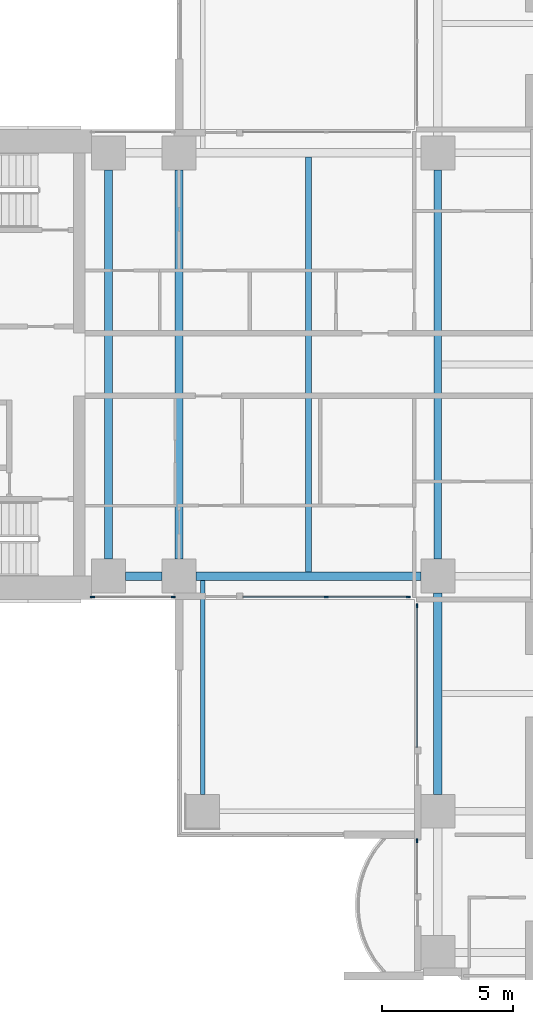
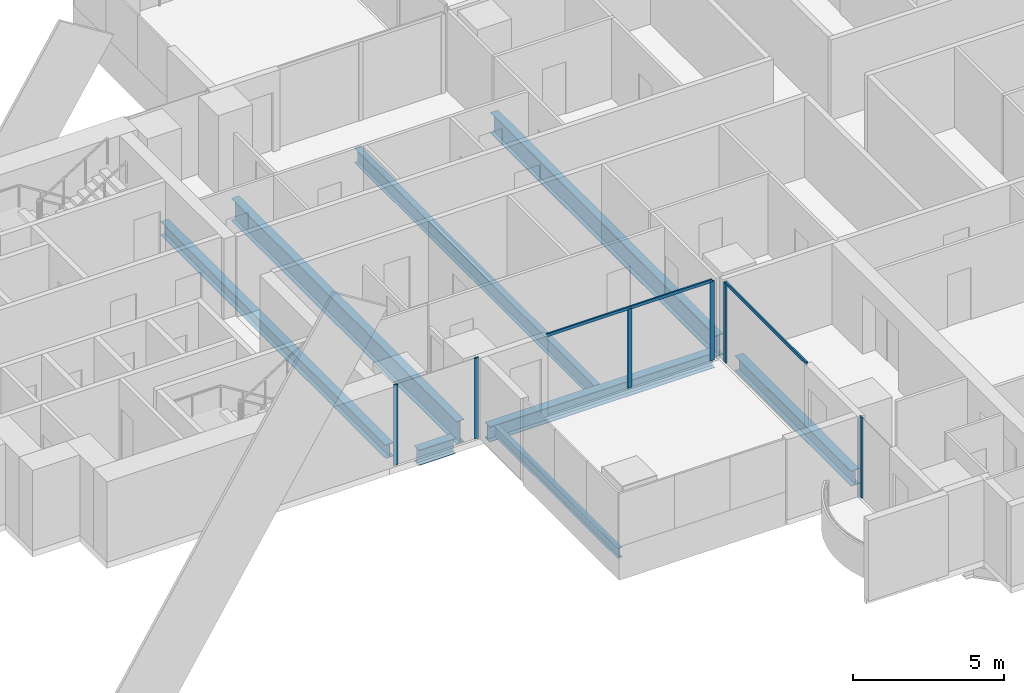
# One storey, part 2 of 23: 8 beams, 8 members, 4 elements without a shape of their own.
"""IFC4 building model written with IfcOpenShell, lengths in metres."""

from ifc_helpers import new_model, si_unit, direction, frame, origin, origin_2d, place, context, subcontext, project, spatial, rectangle, i_section, extrude, material, material_profile, profile_set, type_object, element, aggregate, save


model = new_model("IFC4")

# Units and contexts
model_context = context("Model", 3, precision=1e-05, world=origin(), true_north=direction((0.0, 1.0)))
body_context = subcontext(model_context, "Body", "Model", "MODEL_VIEW")
ifc_project = project(units=[si_unit("LENGTHUNIT", "METRE"), si_unit("AREAUNIT", "SQUARE_METRE"), si_unit("VOLUMEUNIT", "CUBIC_METRE"), si_unit("PLANEANGLEUNIT", "RADIAN"), si_unit("MASSUNIT", "GRAM", prefix="KILO")], contexts=[model_context])

# Site, building, storey
site_placement = place(None, origin())
site = spatial("IfcSite", under=ifc_project, at=site_placement, CompositionType="ELEMENT")
building_placement = place(site_placement, origin())
building = spatial("IfcBuilding", under=site, at=building_placement, Name="Perihelion Cross Residences", CompositionType="ELEMENT")
storey_placement = place(building_placement, frame((0.0, 0.0, 85.5)))
storey = spatial("IfcBuildingStorey", under=building, at=storey_placement, Name="L19", CompositionType="ELEMENT", Elevation=85.5)

# Curtain wall, members
ifc_material_1 = material(Name="Bronze anodised aluminium, tinted glazing", Category="aluminium")
curtain_wall_type = type_object("IfcCurtainWallType", Name="CW1", PredefinedType="NOTDEFINED", material=ifc_material_1)
curtain_wall_1_placement = place(storey_placement, origin())
curtain_wall_1 = element("IfcCurtainWall", 1, at=curtain_wall_1_placement, inside=storey, type_object=curtain_wall_type, Name="Curtain wall CW1 L19 west side south bay 1", PredefinedType="NOTDEFINED")
ifc_material_2 = material(Name="Bronze anodised aluminium", Category="aluminium")
ifc_material_profile_1 = material_profile(ifc_material_2, rectangle(XDim=0.06005859375, YDim=0.159912109375, at=origin_2d()), Name="CW1 mullion")
ifc_profile_set_1 = profile_set([ifc_material_profile_1], Name="Bronze anodised aluminium")
member_type_1 = type_object("IfcMemberType", Name="CW1 mullion", PredefinedType="MULLION", material=ifc_profile_set_1)
member_1_placement = place(storey_placement, frame((-21.320068359375, -8.89990234375, 0.0), z_axis=(0.0, 0.0, 1.0), x_axis=(0.0, 1.0, 0.0)))
member_1 = element("IfcMember", 2, at=member_1_placement, type_object=member_type_1, Name="CW1 mullion 1", PredefinedType="MULLION", context=body_context, shape_type="SweptSolid", body=[
    extrude(rectangle(XDim=0.06005859375, YDim=0.159912109375, at=origin_2d()), origin(), (0.0, 0.0, 1.0), 3.25),
])
member_2_placement = place(storey_placement, frame((-18.22998046875, -8.89990234375, 0.0), z_axis=(0.0, 0.0, 1.0), x_axis=(0.0, 1.0, 0.0)))
member_2 = element("IfcMember", 3, at=member_2_placement, type_object=member_type_1, Name="CW1 mullion 2", PredefinedType="MULLION", context=body_context, shape_type="SweptSolid", body=[
    extrude(rectangle(XDim=0.06005859375, YDim=0.159912109375, at=origin_2d()), origin(), (0.0, 0.0, 1.0), 3.25),
])
aggregate(curtain_wall_1, [member_1, member_2])

curtain_wall_2_placement = place(storey_placement, origin())
curtain_wall_2 = element("IfcCurtainWall", 4, at=curtain_wall_2_placement, inside=storey, type_object=curtain_wall_type, Name="Curtain wall CW1 L19 west side south bay 2", PredefinedType="NOTDEFINED")
member_3_placement = place(storey_placement, frame((-12.375, -8.89990234375, 0.0), z_axis=(0.0, 0.0, 1.0), x_axis=(0.0, 1.0, 0.0)))
member_3 = element("IfcMember", 5, at=member_3_placement, type_object=member_type_1, Name="CW1 mullion 2", PredefinedType="MULLION", context=body_context, shape_type="SweptSolid", body=[
    extrude(rectangle(XDim=0.06005859375, YDim=0.159912109375, at=origin_2d()), origin(), (0.0, 0.0, 1.0), 3.18994140625),
])
member_4_placement = place(storey_placement, frame((-9.22998046875, -8.89990234375, 0.0), z_axis=(0.0, 0.0, 1.0), x_axis=(0.0, 1.0, 0.0)))
member_4 = element("IfcMember", 6, at=member_4_placement, type_object=member_type_1, Name="CW1 mullion 3", PredefinedType="MULLION", context=body_context, shape_type="SweptSolid", body=[
    extrude(rectangle(XDim=0.06005859375, YDim=0.159912109375, at=origin_2d()), origin(), (0.0, 0.0, 1.0), 3.18994140625),
])

# Curtain wall, member
curtain_wall_3_placement = place(storey_placement, origin())
curtain_wall_3 = element("IfcCurtainWall", 7, at=curtain_wall_3_placement, inside=storey, type_object=curtain_wall_type, Name="Curtain wall CW1 L19 south side west bay 1", PredefinedType="NOTDEFINED")
member_5_placement = place(storey_placement, frame((-8.89990234375, -9.22998046875, 0.0), z_axis=(0.0, 0.0, 1.0), x_axis=(1.0, 0.0, 0.0)))
member_5 = element("IfcMember", 8, at=member_5_placement, type_object=member_type_1, Name="CW1 mullion 1", PredefinedType="MULLION", context=body_context, shape_type="SweptSolid", body=[
    extrude(rectangle(XDim=0.06005859375, YDim=0.159912109375, at=origin_2d()), origin(), (0.0, 0.0, 1.0), 3.18994140625),
])

curtain_wall_4_placement = place(storey_placement, origin())
curtain_wall_4 = element("IfcCurtainWall", 9, at=curtain_wall_4_placement, inside=storey, type_object=curtain_wall_type, Name="Curtain wall CW1 L19 south side west bay 2", PredefinedType="NOTDEFINED")
member_6_placement = place(storey_placement, frame((-8.89990234375, -18.22998046875, 0.0), z_axis=(0.0, 0.0, 1.0), x_axis=(1.0, 0.0, 0.0)))
member_6 = element("IfcMember", 10, at=member_6_placement, type_object=member_type_1, Name="CW1 mullion 1", PredefinedType="MULLION", context=body_context, shape_type="SweptSolid", body=[
    extrude(rectangle(XDim=0.06005859375, YDim=0.159912109375, at=origin_2d()), origin(), (0.0, 0.0, 1.0), 3.25),
])
aggregate(curtain_wall_4, [member_6])

# Member
ifc_material_3 = material(Name="Bronze anodised aluminium", Category="aluminium")
ifc_material_profile_2 = material_profile(ifc_material_3, rectangle(XDim=0.06005859375, YDim=0.1201171875, at=origin_2d()), Name="CW1 transom")
ifc_profile_set_2 = profile_set([ifc_material_profile_2], Name="Bronze anodised aluminium")
member_type_2 = type_object("IfcMemberType", Name="CW1 transom", PredefinedType="USERDEFINED", material=ifc_profile_set_2)
member_7_placement = place(storey_placement, frame((-15.550048828125, -8.89990234375, 3.219970703125), z_axis=(1.0, 0.0, 0.0), x_axis=(0.0, 1.0, 0.0)))
member_7 = element("IfcMember", 11, at=member_7_placement, type_object=member_type_2, Name="CW1 head transom", ObjectType="TRANSOM", PredefinedType="USERDEFINED", context=body_context, shape_type="SweptSolid", body=[
    extrude(rectangle(XDim=0.06005859375, YDim=0.1201171875, at=origin_2d()), origin(), (0.0, 0.0, 1.0), 6.320068359375),
])

aggregate(curtain_wall_2, [member_3, member_4, member_7])

member_8_placement = place(storey_placement, frame((-8.89990234375, -9.22998046875, 3.219970703125), z_axis=(0.0, -1.0, 0.0), x_axis=(1.0, 0.0, 0.0)))
member_8 = element("IfcMember", 12, at=member_8_placement, type_object=member_type_2, Name="CW1 head transom", ObjectType="TRANSOM", PredefinedType="USERDEFINED", context=body_context, shape_type="SweptSolid", body=[
    extrude(rectangle(XDim=0.06005859375, YDim=0.1201171875, at=origin_2d()), origin(), (0.0, 0.0, 1.0), 5.419921875),
])

aggregate(curtain_wall_3, [member_5, member_8])

# Beams
ifc_material_4 = material(Name="Steel S355", Category="steel")
ifc_material_profile_3 = material_profile(ifc_material_4, i_section(OverallWidth=0.177978515625, OverallDepth=0.406005859375, WebThickness=0.0078125, FlangeThickness=0.0126953125, at=origin_2d()), Name="W410x60")
ifc_profile_set_3 = profile_set([ifc_material_profile_3], Name="Steel S355")
beam_type_1 = type_object("IfcBeamType", Name="Core edge beam W410x60", PredefinedType="BEAM", material=ifc_profile_set_3)
beam_1_placement = place(storey_placement, frame((-17.10009765625, -8.262451171875, -0.452880859375), z_axis=(0.0, -1.0, 0.0), x_axis=(1.0, 0.0, 0.0)))
element("IfcBeam", 13, at=beam_1_placement, inside=storey, type_object=beam_type_1, Name="Core edge beam TB2 L19 corner no. 1", PredefinedType="BEAM", context=body_context, shape_type="SweptSolid", body=[
    extrude(i_section(OverallWidth=0.177978515625, OverallDepth=0.406005859375, WebThickness=0.0078125, FlangeThickness=0.0126953125, at=origin_2d()), origin(), (0.0, 0.0, 1.0), 8.1875),
])
ifc_material_5 = material(Name="Steel S355", Category="steel")
ifc_material_profile_4 = material_profile(ifc_material_5, i_section(OverallWidth=0.31201171875, OverallDepth=0.5439453125, WebThickness=0.0126953125, FlangeThickness=0.020263671875, at=origin_2d()), Name="W530x150")
ifc_profile_set_4 = profile_set([ifc_material_profile_4], Name="Steel S355")
beam_type_2 = type_object("IfcBeamType", Name="Core edge beam W530x150", PredefinedType="BEAM", material=ifc_profile_set_4)
beam_2_placement = place(storey_placement, frame((-20.699951171875, -7.449951171875, -0.52197265625), z_axis=(0.0, 1.0, 0.0), x_axis=(-1.0, 0.0, 0.0)))
element("IfcBeam", 14, at=beam_2_placement, inside=storey, type_object=beam_type_2, Name="Core edge beam TB4 L19 no. 1", PredefinedType="BEAM", context=body_context, shape_type="SweptSolid", body=[
    extrude(i_section(OverallWidth=0.31201171875, OverallDepth=0.5439453125, WebThickness=0.0126953125, FlangeThickness=0.020263671875, at=origin_2d()), origin(), (0.0, 0.0, 1.0), 14.89990234375),
])
ifc_material_6 = material(Name="Steel S355", Category="steel")
ifc_material_profile_5 = material_profile(ifc_material_6, i_section(OverallWidth=0.324951171875, OverallDepth=0.616943359375, WebThickness=0.013916015625, FlangeThickness=0.021484375, at=origin_2d()), Name="W610x174")
ifc_profile_set_5 = profile_set([ifc_material_profile_5], Name="Steel S355")
beam_type_3 = type_object("IfcBeamType", Name="Edge beam W610x174", PredefinedType="SPANDREL", material=ifc_profile_set_5)
beam_3_placement = place(storey_placement, frame((-20.050048828125, -8.10009765625, -0.55859375), z_axis=(1.0, 0.0, 0.0), x_axis=(0.0, 1.0, 0.0)))
element("IfcBeam", 15, at=beam_3_placement, inside=storey, type_object=beam_type_3, Name="Edge beam SB2 L19 no. 3", PredefinedType="SPANDREL", context=body_context, shape_type="SweptSolid", body=[
    extrude(i_section(OverallWidth=0.324951171875, OverallDepth=0.616943359375, WebThickness=0.013916015625, FlangeThickness=0.021484375, at=origin_2d()), origin(), (0.0, 0.0, 1.0), 1.400146484375),
])
beam_4_placement = place(storey_placement, frame((-17.35009765625, -8.10009765625, -0.55859375), z_axis=(1.0, 0.0, 0.0), x_axis=(0.0, 1.0, 0.0)))
element("IfcBeam", 16, at=beam_4_placement, inside=storey, type_object=beam_type_3, Name="Edge beam SB2 L19 no. 1", PredefinedType="SPANDREL", context=body_context, shape_type="SweptSolid", body=[
    extrude(i_section(OverallWidth=0.324951171875, OverallDepth=0.616943359375, WebThickness=0.013916015625, FlangeThickness=0.021484375, at=origin_2d()), origin(), (0.0, 0.0, 1.0), 8.60009765625),
])
beam_5_placement = place(storey_placement, frame((-8.10009765625, -8.75, -0.55859375), z_axis=(0.0, -1.0, 0.0), x_axis=(1.0, 0.0, 0.0)))
element("IfcBeam", 17, at=beam_5_placement, inside=storey, type_object=beam_type_3, Name="Edge beam SB2 L19 no. 6", PredefinedType="SPANDREL", context=body_context, shape_type="SweptSolid", body=[
    extrude(i_section(OverallWidth=0.324951171875, OverallDepth=0.616943359375, WebThickness=0.013916015625, FlangeThickness=0.021484375, at=origin_2d()), origin(), (0.0, 0.0, 1.0), 7.699951171875),
])
ifc_material_7 = material(Name="Steel S355", Category="steel")
ifc_material_profile_6 = material_profile(ifc_material_7, i_section(OverallWidth=0.304931640625, OverallDepth=0.904052734375, WebThickness=0.01513671875, FlangeThickness=0.02001953125, at=origin_2d()), Name="W920x201")
ifc_profile_set_6 = profile_set([ifc_material_profile_6], Name="Steel S355")
beam_type_4 = type_object("IfcBeamType", Name="Floor girder W920x201", PredefinedType="BEAM", material=ifc_profile_set_6)
beam_6_placement = place(storey_placement, frame((-18.0, -7.449951171875, -0.701904296875), z_axis=(0.0, 1.0, 0.0), x_axis=(-1.0, 0.0, 0.0)))
element("IfcBeam", 18, at=beam_6_placement, inside=storey, type_object=beam_type_4, Name="Girder G2 L19 no. 1", PredefinedType="BEAM", context=body_context, shape_type="SweptSolid", body=[
    extrude(i_section(OverallWidth=0.304931640625, OverallDepth=0.904052734375, WebThickness=0.01513671875, FlangeThickness=0.02001953125, at=origin_2d()), origin(), (0.0, 0.0, 1.0), 14.89990234375),
])
ifc_material_8 = material(Name="Steel S355", Category="steel")
ifc_material_profile_7 = material_profile(ifc_material_8, i_section(OverallWidth=0.22900390625, OverallDepth=0.612060546875, WebThickness=0.011962890625, FlangeThickness=0.01953125, at=origin_2d()), Name="W610x125")
ifc_profile_set_7 = profile_set([ifc_material_profile_7], Name="Steel S355")
beam_type_5 = type_object("IfcBeamType", Name="Floor joist W610x125", PredefinedType="JOIST", material=ifc_profile_set_7)
beam_7_placement = place(storey_placement, frame((-13.050048828125, -7.9375, -0.555908203125), z_axis=(0.0, 1.0, 0.0), x_axis=(-1.0, 0.0, 0.0)))
element("IfcBeam", 19, at=beam_7_placement, inside=storey, type_object=beam_type_5, Name="Joist J3 L19 no. 1", PredefinedType="JOIST", context=body_context, shape_type="SweptSolid", body=[
    extrude(i_section(OverallWidth=0.22900390625, OverallDepth=0.612060546875, WebThickness=0.011962890625, FlangeThickness=0.01953125, at=origin_2d()), origin(), (0.0, 0.0, 1.0), 15.875),
])
ifc_material_9 = material(Name="Steel S355", Category="steel")
ifc_material_profile_8 = material_profile(ifc_material_9, i_section(OverallWidth=0.2919921875, OverallDepth=0.85888671875, WebThickness=0.01708984375, FlangeThickness=0.031005859375, at=origin_2d()), Name="W840x251")
ifc_profile_set_8 = profile_set([ifc_material_profile_8], Name="Steel S355")
beam_type_6 = type_object("IfcBeamType", Name="Hub ring girder W840x251", PredefinedType="BEAM", material=ifc_profile_set_8)
beam_8_placement = place(storey_placement, frame((-8.10009765625, 7.449951171875, -0.679443359375), z_axis=(0.0, -1.0, 0.0), x_axis=(1.0, 0.0, 0.0)))
element("IfcBeam", 20, at=beam_8_placement, inside=storey, type_object=beam_type_6, Name="Hub ring girder RG2 L19 no. 2", PredefinedType="BEAM", context=body_context, shape_type="SweptSolid", body=[
    extrude(i_section(OverallWidth=0.2919921875, OverallDepth=0.85888671875, WebThickness=0.01708984375, FlangeThickness=0.031005859375, at=origin_2d()), origin(), (0.0, 0.0, 1.0), 14.89990234375),
])

save(model, "model.ifc")
